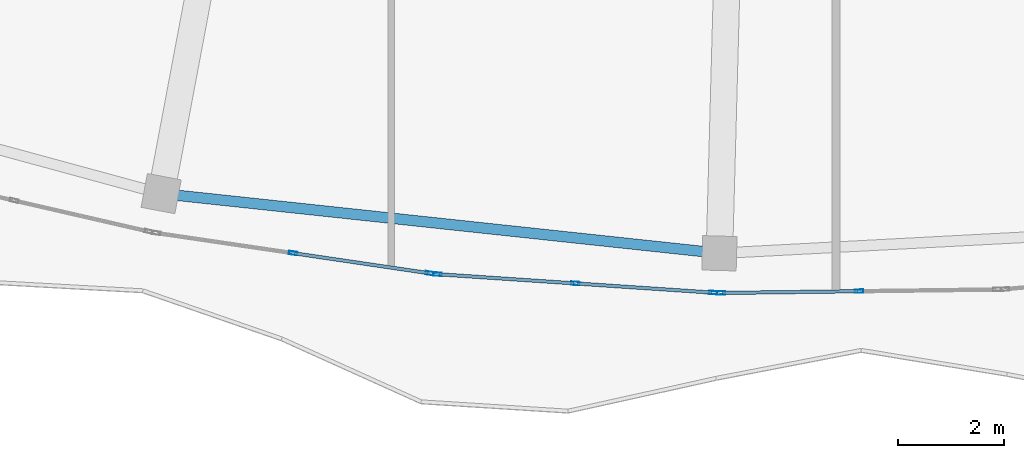
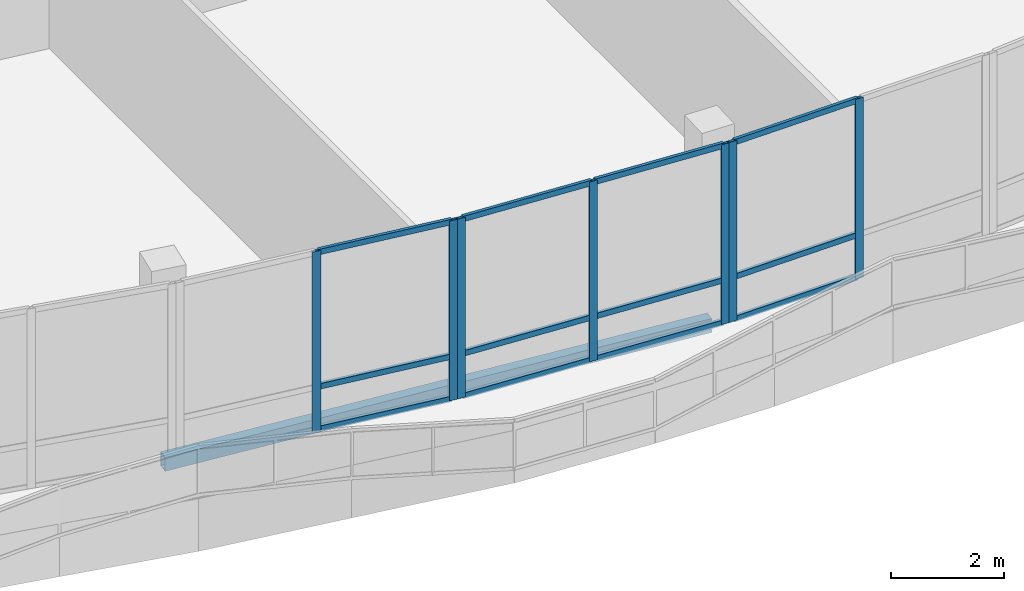
# One storey, part 19 of 184: 19 members, 1 beam, 3 elements without a shape of their own.
"""IFC4 building model written with IfcOpenShell, lengths in metres."""

from ifc_helpers import new_model, si_unit, direction, frame, origin, origin_2d, place, context, subcontext, project, spatial, hollow_rectangle, extrude, material, material_profile, profile_set, type_object, element, aggregate, save


model = new_model("IFC4")

# Units and contexts
model_context = context("Model", 3, precision=1e-05, world=origin(), true_north=direction((0.0, 1.0)))
body_context = subcontext(model_context, "Body", "Model", "MODEL_VIEW")
ifc_project = project(units=[si_unit("LENGTHUNIT", "METRE"), si_unit("AREAUNIT", "SQUARE_METRE"), si_unit("VOLUMEUNIT", "CUBIC_METRE"), si_unit("PLANEANGLEUNIT", "RADIAN"), si_unit("MASSUNIT", "GRAM", prefix="KILO")], contexts=[model_context])

# Site, building, storey
site_placement = place(None, origin())
site = spatial("IfcSite", under=ifc_project, at=site_placement, CompositionType="ELEMENT")
building_placement = place(site_placement, origin())
building = spatial("IfcBuilding", under=site, at=building_placement, Name="Selatvlak General Hospital", CompositionType="ELEMENT")
storey_placement = place(building_placement, frame((0.0, 0.0, 15.0)))
storey = spatial("IfcBuildingStorey", under=building, at=storey_placement, Name="L03", CompositionType="ELEMENT", Elevation=15.0)

# Beam
ifc_material_1 = material(Name="Steel S355", Category="steel")
ifc_material_profile_1 = material_profile(ifc_material_1, hollow_rectangle(XDim=0.199951171875, YDim=0.300048828125, WallThickness=0.011962890625, at=origin_2d()), Name="RHS 300x200x12")
ifc_profile_set_1 = profile_set([ifc_material_profile_1], Name="Steel S355")
beam_type = type_object("IfcBeamType", Name="BM-SP3", PredefinedType="SPANDREL", material=ifc_profile_set_1)
beam_placement = place(storey_placement, frame((43.652099609375, 13.902099609375, -0.489990234375), z_axis=(0.99433421111, -0.106298996311, 0.0), x_axis=(0.106298996311, 0.99433421111, 0.0)))
element("IfcBeam", 1, at=beam_placement, inside=storey, type_object=beam_type, Name="Beam BMR-L03-1492", PredefinedType="SPANDREL", context=body_context, shape_type="SweptSolid", body=[
    extrude(hollow_rectangle(XDim=0.199951171875, YDim=0.300048828125, WallThickness=0.011962890625, at=origin_2d()), origin(), (0.0, 0.0, 1.0), 10.60400390625),
])

# Curtain wall, members
ifc_material_2 = material(Name="Solar-control Low-E double glazing", Category="glass")
curtain_wall_type_1 = type_object("IfcCurtainWallType", Name="CW-CW-01", PredefinedType="USERDEFINED", material=ifc_material_2)
curtain_wall_1_placement = place(storey_placement, origin())
curtain_wall_1 = element("IfcCurtainWall", 2, at=curtain_wall_1_placement, inside=storey, type_object=curtain_wall_type_1, Name="Glazed facade curtain wall CW-L03-0427", ObjectType="UNITISED CURTAIN WALL", PredefinedType="USERDEFINED")
ifc_material_3 = material(Name="Dark anodised aluminium mullion", Category="aluminium")
ifc_material_profile_2 = material_profile(ifc_material_3, hollow_rectangle(XDim=0.06494140625, YDim=0.159912109375, WallThickness=0.00390625, at=origin_2d()), Name="AL-MUL 65x160x4")
ifc_profile_set_2 = profile_set([ifc_material_profile_2], Name="Dark anodised aluminium mullion")
member_type_1 = type_object("IfcMemberType", Name="CWM-01", PredefinedType="MULLION", material=ifc_profile_set_2)
member_1_placement = place(storey_placement, frame((56.83544921875, 12.05859375, 0.0), z_axis=(0.0, 0.0, 1.0), x_axis=(0.012671575694, -0.999919712362, 0.0)))
member_1 = element("IfcMember", 3, at=member_1_placement, type_object=member_type_1, Name="CW-01 mullion 2", PredefinedType="MULLION", context=body_context, shape_type="SweptSolid", body=[
    extrude(hollow_rectangle(XDim=0.06494140625, YDim=0.159912109375, WallThickness=0.00390625, at=origin_2d()), origin(), (0.0, 0.0, 1.0), 3.89501953125),
])
member_2_placement = place(storey_placement, frame((54.224609375, 12.025390625, 0.0), z_axis=(0.0, 0.0, 1.0), x_axis=(0.012671575694, -0.999919712362, 0.0)))
member_2 = element("IfcMember", 4, at=member_2_placement, type_object=member_type_1, Name="CW-01 mullion 3", PredefinedType="MULLION", context=body_context, shape_type="SweptSolid", body=[
    extrude(hollow_rectangle(XDim=0.06494140625, YDim=0.159912109375, WallThickness=0.00390625, at=origin_2d()), origin(), (0.0, 0.0, 1.0), 3.89501953125),
])

curtain_wall_type_2 = type_object("IfcCurtainWallType", Name="CW-CW-02", PredefinedType="USERDEFINED", material=ifc_material_2)
curtain_wall_2_placement = place(storey_placement, origin())
curtain_wall_2 = element("IfcCurtainWall", 5, at=curtain_wall_2_placement, inside=storey, type_object=curtain_wall_type_2, Name="Glazed facade curtain wall CW-L03-0428", ObjectType="UNITISED CURTAIN WALL", PredefinedType="USERDEFINED")
member_3_placement = place(storey_placement, frame((54.07958984375, 12.03125, 0.0), z_axis=(0.0, 0.0, 1.0), x_axis=(-0.066782696801, -0.997767543774, 0.0)))
member_3 = element("IfcMember", 6, at=member_3_placement, type_object=member_type_1, Name="CW-02 mullion 1", PredefinedType="MULLION", context=body_context, shape_type="SweptSolid", body=[
    extrude(hollow_rectangle(XDim=0.06494140625, YDim=0.159912109375, WallThickness=0.00390625, at=origin_2d()), origin(), (0.0, 0.0, 1.0), 3.89501953125),
])
member_4_placement = place(storey_placement, frame((51.47509765625, 12.20556640625, 0.0), z_axis=(0.0, 0.0, 1.0), x_axis=(-0.066782696801, -0.997767543774, 0.0)))
member_4 = element("IfcMember", 7, at=member_4_placement, type_object=member_type_1, Name="CW-02 mullion 2", PredefinedType="MULLION", context=body_context, shape_type="SweptSolid", body=[
    extrude(hollow_rectangle(XDim=0.06494140625, YDim=0.159912109375, WallThickness=0.00390625, at=origin_2d()), origin(), (0.0, 0.0, 1.0), 3.89501953125),
])
member_5_placement = place(storey_placement, frame((48.870361328125, 12.3798828125, 0.0), z_axis=(0.0, 0.0, 1.0), x_axis=(-0.066782696801, -0.997767543774, 0.0)))
member_5 = element("IfcMember", 8, at=member_5_placement, type_object=member_type_1, Name="CW-02 mullion 3", PredefinedType="MULLION", context=body_context, shape_type="SweptSolid", body=[
    extrude(hollow_rectangle(XDim=0.06494140625, YDim=0.159912109375, WallThickness=0.00390625, at=origin_2d()), origin(), (0.0, 0.0, 1.0), 3.89501953125),
])

curtain_wall_3_placement = place(storey_placement, origin())
curtain_wall_3 = element("IfcCurtainWall", 9, at=curtain_wall_3_placement, inside=storey, type_object=curtain_wall_type_1, Name="Glazed facade curtain wall CW-L03-0429", ObjectType="UNITISED CURTAIN WALL", PredefinedType="USERDEFINED")
member_6_placement = place(storey_placement, frame((48.726806640625, 12.396728515625, 0.0), z_axis=(0.0, 0.0, 1.0), x_axis=(-0.145842510319, -0.989307819732, 0.0)))
member_6 = element("IfcMember", 10, at=member_6_placement, type_object=member_type_1, Name="CW-01 mullion 1", PredefinedType="MULLION", context=body_context, shape_type="SweptSolid", body=[
    extrude(hollow_rectangle(XDim=0.06494140625, YDim=0.159912109375, WallThickness=0.00390625, at=origin_2d()), origin(), (0.0, 0.0, 1.0), 3.89501953125),
])
member_7_placement = place(storey_placement, frame((46.14404296875, 12.777587890625, 0.0), z_axis=(0.0, 0.0, 1.0), x_axis=(-0.145842510319, -0.989307819732, 0.0)))
member_7 = element("IfcMember", 11, at=member_7_placement, type_object=member_type_1, Name="CW-01 mullion 2", PredefinedType="MULLION", context=body_context, shape_type="SweptSolid", body=[
    extrude(hollow_rectangle(XDim=0.06494140625, YDim=0.159912109375, WallThickness=0.00390625, at=origin_2d()), origin(), (0.0, 0.0, 1.0), 3.89501953125),
])

# Member
ifc_material_profile_3 = material_profile(ifc_material_3, hollow_rectangle(XDim=0.06494140625, YDim=0.1201171875, WallThickness=0.00390625, at=origin_2d()), Name="AL-TRN 65x120x4")
ifc_profile_set_3 = profile_set([ifc_material_profile_3], Name="Dark anodised aluminium mullion")
member_type_2 = type_object("IfcMemberType", Name="CWT-01", PredefinedType="USERDEFINED", material=ifc_profile_set_3)
member_8_placement = place(storey_placement, frame((56.802978515625, 12.05810546875, 0.032470703125), z_axis=(-0.99991989426, -0.012657213851, 0.0), x_axis=(0.012657213851, -0.99991989426, 0.0)))
member_8 = element("IfcMember", 12, at=member_8_placement, type_object=member_type_2, Name="CW-01 transom 2.1", ObjectType="TRANSOM", PredefinedType="USERDEFINED", context=body_context, shape_type="SweptSolid", body=[
    extrude(hollow_rectangle(XDim=0.06494140625, YDim=0.1201171875, WallThickness=0.00390625, at=origin_2d()), origin(), (0.0, 0.0, 1.0), 2.546142578125),
])

member_9_placement = place(storey_placement, frame((56.802978515625, 12.05810546875, 0.949951171875), z_axis=(-0.99991989426, -0.012657213851, 0.0), x_axis=(0.012657213851, -0.99991989426, 0.0)))
member_9 = element("IfcMember", 13, at=member_9_placement, type_object=member_type_2, Name="CW-01 transom 2.2", ObjectType="TRANSOM", PredefinedType="USERDEFINED", context=body_context, shape_type="SweptSolid", body=[
    extrude(hollow_rectangle(XDim=0.06494140625, YDim=0.1201171875, WallThickness=0.00390625, at=origin_2d()), origin(), (0.0, 0.0, 1.0), 2.546142578125),
])

member_10_placement = place(storey_placement, frame((56.802978515625, 12.05810546875, 3.862548828125), z_axis=(-0.99991989426, -0.012657213851, 0.0), x_axis=(0.012657213851, -0.99991989426, 0.0)))
member_10 = element("IfcMember", 14, at=member_10_placement, type_object=member_type_2, Name="CW-01 transom 2.3", ObjectType="TRANSOM", PredefinedType="USERDEFINED", context=body_context, shape_type="SweptSolid", body=[
    extrude(hollow_rectangle(XDim=0.06494140625, YDim=0.1201171875, WallThickness=0.00390625, at=origin_2d()), origin(), (0.0, 0.0, 1.0), 2.546142578125),
])

aggregate(curtain_wall_1, [member_1, member_2, member_8, member_9, member_10])

member_11_placement = place(storey_placement, frame((54.047119140625, 12.033447265625, 0.032470703125), z_axis=(-0.997769427698, 0.066754544043, 0.0), x_axis=(-0.066754544043, -0.997769427698, 0.0)))
member_11 = element("IfcMember", 15, at=member_11_placement, type_object=member_type_2, Name="CW-02 transom 1.1", ObjectType="TRANSOM", PredefinedType="USERDEFINED", context=body_context, shape_type="SweptSolid", body=[
    extrude(hollow_rectangle(XDim=0.06494140625, YDim=0.1201171875, WallThickness=0.00390625, at=origin_2d()), origin(), (0.0, 0.0, 1.0), 2.54541015625),
])

member_12_placement = place(storey_placement, frame((54.047119140625, 12.033447265625, 0.949951171875), z_axis=(-0.997769427698, 0.066754544043, 0.0), x_axis=(-0.066754544043, -0.997769427698, 0.0)))
member_12 = element("IfcMember", 16, at=member_12_placement, type_object=member_type_2, Name="CW-02 transom 1.2", ObjectType="TRANSOM", PredefinedType="USERDEFINED", context=body_context, shape_type="SweptSolid", body=[
    extrude(hollow_rectangle(XDim=0.06494140625, YDim=0.1201171875, WallThickness=0.00390625, at=origin_2d()), origin(), (0.0, 0.0, 1.0), 2.54541015625),
])

member_13_placement = place(storey_placement, frame((54.047119140625, 12.033447265625, 3.862548828125), z_axis=(-0.997769427698, 0.066754544043, 0.0), x_axis=(-0.066754544043, -0.997769427698, 0.0)))
member_13 = element("IfcMember", 17, at=member_13_placement, type_object=member_type_2, Name="CW-02 transom 1.3", ObjectType="TRANSOM", PredefinedType="USERDEFINED", context=body_context, shape_type="SweptSolid", body=[
    extrude(hollow_rectangle(XDim=0.06494140625, YDim=0.1201171875, WallThickness=0.00390625, at=origin_2d()), origin(), (0.0, 0.0, 1.0), 2.54541015625),
])

member_14_placement = place(storey_placement, frame((51.442626953125, 12.207763671875, 0.032470703125), z_axis=(-0.997769427698, 0.066754544043, 0.0), x_axis=(-0.066754544043, -0.997769427698, 0.0)))
member_14 = element("IfcMember", 18, at=member_14_placement, type_object=member_type_2, Name="CW-02 transom 2.1", ObjectType="TRANSOM", PredefinedType="USERDEFINED", context=body_context, shape_type="SweptSolid", body=[
    extrude(hollow_rectangle(XDim=0.06494140625, YDim=0.1201171875, WallThickness=0.00390625, at=origin_2d()), origin(), (0.0, 0.0, 1.0), 2.54541015625),
])

member_15_placement = place(storey_placement, frame((51.442626953125, 12.207763671875, 0.949951171875), z_axis=(-0.997769427698, 0.066754544043, 0.0), x_axis=(-0.066754544043, -0.997769427698, 0.0)))
member_15 = element("IfcMember", 19, at=member_15_placement, type_object=member_type_2, Name="CW-02 transom 2.2", ObjectType="TRANSOM", PredefinedType="USERDEFINED", context=body_context, shape_type="SweptSolid", body=[
    extrude(hollow_rectangle(XDim=0.06494140625, YDim=0.1201171875, WallThickness=0.00390625, at=origin_2d()), origin(), (0.0, 0.0, 1.0), 2.54541015625),
])

member_16_placement = place(storey_placement, frame((51.442626953125, 12.207763671875, 3.862548828125), z_axis=(-0.997769427698, 0.066754544043, 0.0), x_axis=(-0.066754544043, -0.997769427698, 0.0)))
member_16 = element("IfcMember", 20, at=member_16_placement, type_object=member_type_2, Name="CW-02 transom 2.3", ObjectType="TRANSOM", PredefinedType="USERDEFINED", context=body_context, shape_type="SweptSolid", body=[
    extrude(hollow_rectangle(XDim=0.06494140625, YDim=0.1201171875, WallThickness=0.00390625, at=origin_2d()), origin(), (0.0, 0.0, 1.0), 2.54541015625),
])

aggregate(curtain_wall_2, [member_3, member_4, member_5, member_11, member_12, member_13, member_14, member_15, member_16])

member_17_placement = place(storey_placement, frame((48.694580078125, 12.4013671875, 0.032470703125), z_axis=(-0.989302619904, 0.145877778466, 0.0), x_axis=(-0.145877778466, -0.989302619904, 0.0)))
member_17 = element("IfcMember", 21, at=member_17_placement, type_object=member_type_2, Name="CW-01 transom 1.1", ObjectType="TRANSOM", PredefinedType="USERDEFINED", context=body_context, shape_type="SweptSolid", body=[
    extrude(hollow_rectangle(XDim=0.06494140625, YDim=0.1201171875, WallThickness=0.00390625, at=origin_2d()), origin(), (0.0, 0.0, 1.0), 2.545654296875),
])

member_18_placement = place(storey_placement, frame((48.694580078125, 12.4013671875, 0.949951171875), z_axis=(-0.989302619904, 0.145877778466, 0.0), x_axis=(-0.145877778466, -0.989302619904, 0.0)))
member_18 = element("IfcMember", 22, at=member_18_placement, type_object=member_type_2, Name="CW-01 transom 1.2", ObjectType="TRANSOM", PredefinedType="USERDEFINED", context=body_context, shape_type="SweptSolid", body=[
    extrude(hollow_rectangle(XDim=0.06494140625, YDim=0.1201171875, WallThickness=0.00390625, at=origin_2d()), origin(), (0.0, 0.0, 1.0), 2.545654296875),
])

member_19_placement = place(storey_placement, frame((48.694580078125, 12.4013671875, 3.862548828125), z_axis=(-0.989302619904, 0.145877778466, 0.0), x_axis=(-0.145877778466, -0.989302619904, 0.0)))
member_19 = element("IfcMember", 23, at=member_19_placement, type_object=member_type_2, Name="CW-01 transom 1.3", ObjectType="TRANSOM", PredefinedType="USERDEFINED", context=body_context, shape_type="SweptSolid", body=[
    extrude(hollow_rectangle(XDim=0.06494140625, YDim=0.1201171875, WallThickness=0.00390625, at=origin_2d()), origin(), (0.0, 0.0, 1.0), 2.545654296875),
])

aggregate(curtain_wall_3, [member_6, member_7, member_17, member_18, member_19])

save(model, "model.ifc")
